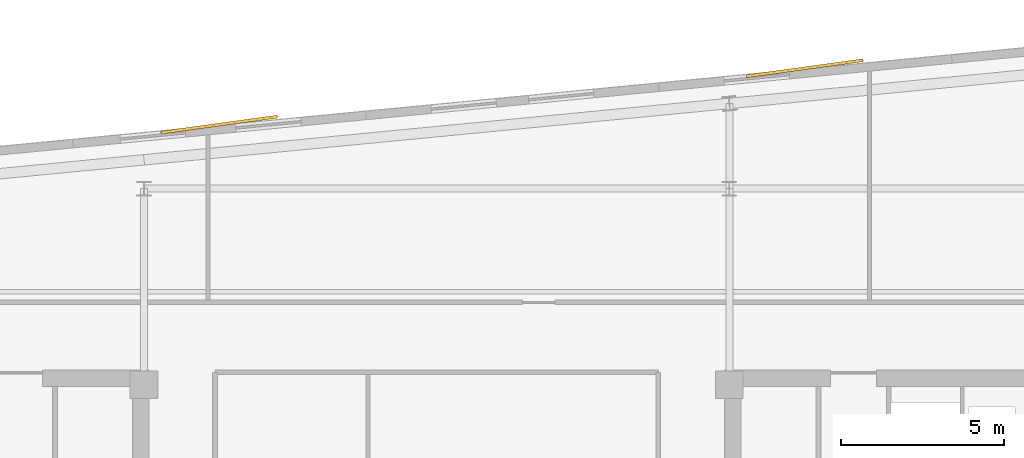
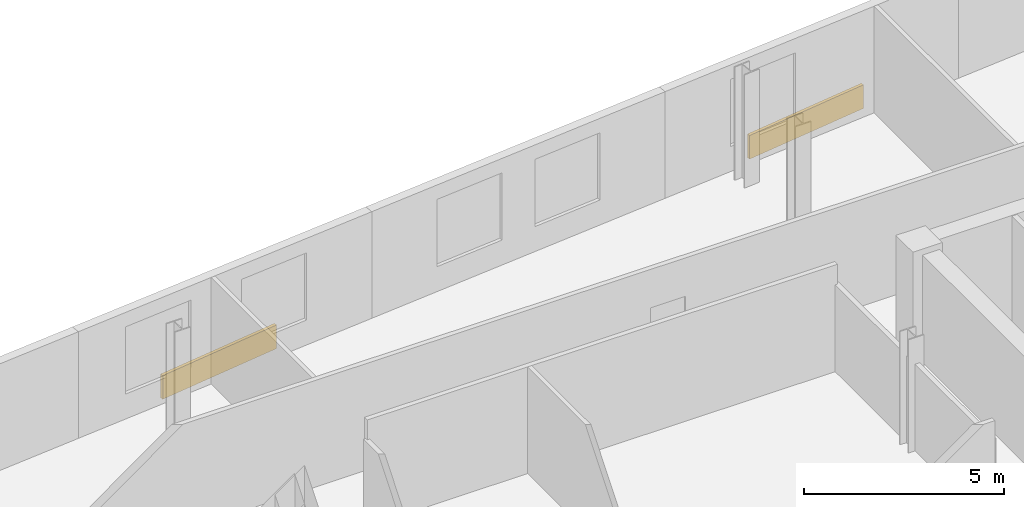
# One storey, part 8 of 8: 2 coverings.
"""IFC4 building model written with IfcOpenShell, lengths in metres."""

import ifcopenshell
import ifcopenshell.guid

model = None  # the IFC model being written
_history = None  # IfcOwnerHistory: only IFC2X3 demands one
_inside = {}  # id of a spatial element -> (the spatial element, [elements in it])
_under = {}  # id of a project, library or spatial element -> (it, [spatial elements below it])
_declared = {}  # id of a project -> (the project, [libraries it declares])
_typed = {}  # id of a type object -> (the type object, [elements of that type])
_made_of = {}  # id of a material, layer set ... -> (it, [elements and type objects made of it])


def new_model(schema):
    """Start an empty IFC model of exactly this schema.

    Asked for "IFC4X3", IfcOpenShell would pick the latest addendum, in which some entities
    have other attributes; the version numbers below select the first issue.
    IFC2X3 requires an IfcOwnerHistory on every rooted entity: one is made here for all.
    """
    global model, _history
    if schema == "IFC4X3":
        model = ifcopenshell.file(schema_version=(4, 3, 0, 0))
    else:
        model = ifcopenshell.file(schema=schema)
    _inside.clear()
    _under.clear()
    _declared.clear()
    _typed.clear()
    _made_of.clear()
    _history = None
    if model.schema == "IFC2X3":
        org = make("IfcOrganization", Name="unknown")
        user = make(
            "IfcPersonAndOrganization",
            ThePerson=make("IfcPerson", FamilyName="unknown"),
            TheOrganization=org,
        )
        app = make(
            "IfcApplication",
            ApplicationDeveloper=org,
            Version="unknown",
            ApplicationFullName="unknown",
            ApplicationIdentifier="unknown",
        )
        _history = make(
            "IfcOwnerHistory",
            OwningUser=user,
            OwningApplication=app,
            ChangeAction="ADDED",
            CreationDate=0,
        )
    return model


def make(cls, **values):
    """One entity of the class cls with the attributes given. An attribute that is None is left unset."""
    return model.create_entity(
        cls, **{name: value for name, value in values.items() if value is not None}
    )


def rooted(cls, **values):
    """An entity with a GlobalId (a new one), such as an element, a storey or a relation."""
    return make(cls, GlobalId=ifcopenshell.guid.new(), OwnerHistory=_history, **values)


def si_unit(unit_type, name, prefix=None):
    """IfcSIUnit, for example si_unit("LENGTHUNIT", "METRE", prefix="MILLI")."""
    return make("IfcSIUnit", UnitType=unit_type, Prefix=prefix, Name=name)


def assignment(units):
    """IfcUnitAssignment: the units of a project."""
    return None if units is None else make("IfcUnitAssignment", Units=units)


def point(xyz):
    """IfcCartesianPoint."""
    return None if xyz is None else make("IfcCartesianPoint", Coordinates=xyz)


def direction(xyz):
    """IfcDirection."""
    return None if xyz is None else make("IfcDirection", DirectionRatios=xyz)


def frame(location, z_axis=None, x_axis=None):
    """IfcAxis2Placement3D, a coordinate frame: its origin and axes. An axis left out is left unset."""
    return make(
        "IfcAxis2Placement3D",
        Location=point(location),
        Axis=direction(z_axis),
        RefDirection=direction(x_axis),
    )


def frame_2d(location, x_axis=None):
    """IfcAxis2Placement2D, a coordinate frame in the plane: its origin and x axis."""
    return make(
        "IfcAxis2Placement2D", Location=point(location), RefDirection=direction(x_axis)
    )


def origin():
    """The frame at (0, 0, 0) with its axes left unset."""
    return frame((0.0, 0.0, 0.0))


def origin_2d():
    """The frame at (0, 0) in the plane with its x axis left unset."""
    return frame_2d((0.0, 0.0))


def place(relative_to, where):
    """IfcLocalPlacement: puts the frame where relative to a parent placement (None: the world)."""
    return make(
        "IfcLocalPlacement", PlacementRelTo=relative_to, RelativePlacement=where
    )


def context(
    kind, dimensions, precision=None, world=None, true_north=None, identifier=None
):
    """IfcGeometricRepresentationContext, for example the 3D "Model" context."""
    return make(
        "IfcGeometricRepresentationContext",
        ContextIdentifier=identifier,
        ContextType=kind,
        CoordinateSpaceDimension=dimensions,
        Precision=precision,
        WorldCoordinateSystem=world,
        TrueNorth=true_north,
    )


def subcontext(parent, identifier, kind, view, scale=None):
    """IfcGeometricRepresentationSubContext, for example "Body" below "Model"."""
    return make(
        "IfcGeometricRepresentationSubContext",
        ContextIdentifier=identifier,
        ContextType=kind,
        ParentContext=parent,
        TargetScale=scale,
        TargetView=view,
    )


def project(units=None, contexts=None):
    """IfcProject with its units and contexts."""
    return rooted(
        "IfcProject",
        Name="project",
        RepresentationContexts=contexts,
        UnitsInContext=assignment(units),
    )


def spatial(cls, under=None, at=None, **own):
    """A site, building, storey or space (cls), placed at a placement, below another one or the project."""
    s = rooted(cls, ObjectPlacement=at, **own)
    if under is not None:
        _under.setdefault(under.id(), (under, []))[1].append(s)
    return s


def profile(cls, at=None, kind="AREA", **sizes):
    """A parametric profile (cls). Its sizes go by their IFC names, for example OverallWidth=200.0."""
    return make(cls, ProfileType=kind, Position=at, **sizes)


def rectangle(**sizes):
    """IfcRectangleProfileDef."""
    return profile("IfcRectangleProfileDef", **sizes)


def extrude(swept, where, along, depth):
    """IfcExtrudedAreaSolid: the profile swept, set in the frame where, extruded along a direction by depth."""
    return make(
        "IfcExtrudedAreaSolid",
        SweptArea=swept,
        Position=where,
        ExtrudedDirection=direction(along),
        Depth=depth,
    )


def shape(context_of_items, identifier, shape_type, items):
    """IfcShapeRepresentation: the items that make up one representation, for example the "Body"."""
    return make(
        "IfcShapeRepresentation",
        ContextOfItems=context_of_items,
        RepresentationIdentifier=identifier,
        RepresentationType=shape_type,
        Items=items,
    )


def material(Name=None, Category=None):
    """IfcMaterial."""
    return make("IfcMaterial", Name=Name, Category=Category)


def layer(
    of_material, thickness, ventilated=None, Name=None, Category=None, Priority=None
):
    """IfcMaterialLayer: one layer of a wall or slab, of a material (None: an air gap)."""
    return make(
        "IfcMaterialLayer",
        Material=of_material,
        LayerThickness=thickness,
        IsVentilated=ventilated,
        Name=Name,
        Category=Category,
        Priority=Priority,
    )


def layer_set(layers, Name=None):
    """IfcMaterialLayerSet."""
    return make("IfcMaterialLayerSet", MaterialLayers=layers, LayerSetName=Name)


def made_of(thing, what):
    """Note that an element or type object is made of a material, layer set ...; save() writes the relation."""
    if what is not None:
        _made_of.setdefault(what.id(), (what, []))[1].append(thing)
    return thing


def type_object(cls, material=None, **own):
    """A type object (cls), such as IfcWallType, which elements share."""
    return made_of(rooted(cls, **own), material)


def element(
    cls,
    number,
    at=None,
    inside=None,
    cuts=None,
    type_object=None,
    material=None,
    context=None,
    identifier="Body",
    shape_type=None,
    held_by="IfcProductDefinitionShape",
    body=None,
    shapes=None,
    **own,
):
    """One element of the class cls, such as IfcWall. Its Tag is "e" and its number.

    at: its placement. inside: the storey or other place that contains it. cuts: it is an
    opening in that element (IfcRelVoidsElement). A single representation is given by context,
    identifier, shape_type and body (its items); several are given by shapes. held_by: the class
    of the entity that holds the representations. save() writes the other relations.
    """
    e = rooted(cls, Tag="e%d" % number, ObjectPlacement=at, **own)
    if body is not None:
        shapes = [shape(context, identifier, shape_type, body)]
    if shapes is not None:
        e.Representation = make(held_by, Representations=shapes)
    if inside is not None:
        _inside.setdefault(inside.id(), (inside, []))[1].append(e)
    if cuts is not None:
        rooted(
            "IfcRelVoidsElement", RelatingBuildingElement=cuts, RelatedOpeningElement=e
        )
    if type_object is not None:
        _typed.setdefault(type_object.id(), (type_object, []))[1].append(e)
    return made_of(e, material)


def aggregate(whole, parts):
    """IfcRelAggregates: a whole, such as a stair, and the parts it consists of."""
    return rooted("IfcRelAggregates", RelatingObject=whole, RelatedObjects=parts)


def save(model, path):
    """Write the relations noted so far, then the file.

    IfcRelAggregates (storeys below a building ...), IfcRelContainedInSpatialStructure (elements
    in a storey), IfcRelDefinesByType, IfcRelAssociatesMaterial and IfcRelDeclares: one each for
    every whole, place, type object, material and project.
    """
    for whole, parts in _under.values():
        aggregate(whole, parts)
    for where, things in _inside.values():
        rooted(
            "IfcRelContainedInSpatialStructure",
            RelatedElements=things,
            RelatingStructure=where,
        )
    for kind, things in _typed.values():
        rooted("IfcRelDefinesByType", RelatedObjects=things, RelatingType=kind)
    for what, things in _made_of.values():
        rooted("IfcRelAssociatesMaterial", RelatedObjects=things, RelatingMaterial=what)
    for by, libraries in _declared.values():
        rooted("IfcRelDeclares", RelatingContext=by, RelatedDefinitions=libraries)
    model.write(path)


model = new_model("IFC4")

# Units and contexts
model_context = context("Model", 3, precision=1e-05, world=origin(), true_north=direction((0.0, 1.0)))
body_context = subcontext(model_context, "Body", "Model", "MODEL_VIEW")
ifc_project = project(units=[si_unit("LENGTHUNIT", "METRE"), si_unit("AREAUNIT", "SQUARE_METRE"), si_unit("VOLUMEUNIT", "CUBIC_METRE"), si_unit("PLANEANGLEUNIT", "RADIAN"), si_unit("MASSUNIT", "GRAM", prefix="KILO")], contexts=[model_context])

# Site, building, storey
site_placement = place(None, origin())
site = spatial("IfcSite", under=ifc_project, at=site_placement, CompositionType="ELEMENT")
building_placement = place(site_placement, origin())
building = spatial("IfcBuilding", under=site, at=building_placement, Name="Velakula Bourse", CompositionType="ELEMENT")
storey_placement = place(building_placement, frame((0.0, 0.0, 255.14990234375)))
storey = spatial("IfcBuildingStorey", under=building, at=storey_placement, Name="L69", CompositionType="ELEMENT", Elevation=255.14990234375)

# Coverings
ifc_material = material(Name="Buff kilned clay facing brick masonry", Category="masonry")
ifc_layer = layer(ifc_material, 0.074951171875, Name="Buff kilned clay facing brick masonry", Category="masonry")
ifc_layer_set = layer_set([ifc_layer], Name="Buff kilned clay facing brick masonry")
covering_type = type_object("IfcCoveringType", Name="COV-BRK-SPN-75", PredefinedType="CLADDING", material=ifc_layer_set)
for number, where, z_axis, x_axis, name in (
    (1, (-6.655029296875, 16.555908203125, 0.0), (0.0, 0.0, 1.0), (0.990629029058, 0.136580111242, 0.0), "L69 Folded Brick Facade Cladding Panel N-B2"),
    (2, (11.26220703125, 18.281005859375, 0.0), (0.0, 0.0, 1.0), (0.990629029058, 0.136580111242, 0.0), "L69 Folded Brick Facade Cladding Panel N-B4"),
):
    element("IfcCovering", number, at=place(storey_placement, frame(where, z_axis=z_axis, x_axis=x_axis)), inside=storey, type_object=covering_type, Name=name, PredefinedType="CLADDING", context=body_context, shape_type="SweptSolid", body=[
        extrude(rectangle(XDim=3.60009765625, YDim=0.090087890625, at=origin_2d()), origin(), (0.0, 0.0, 1.0), 0.719970703125),
    ])

save(model, "model.ifc")
